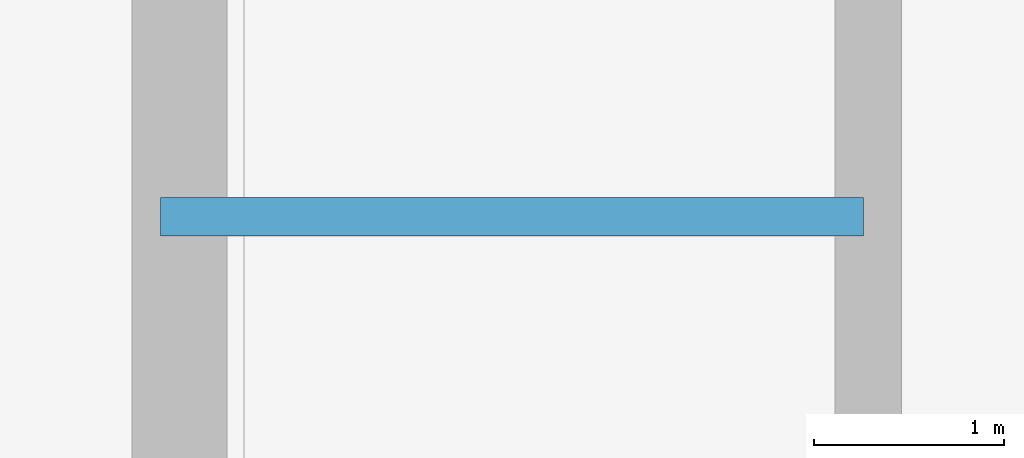
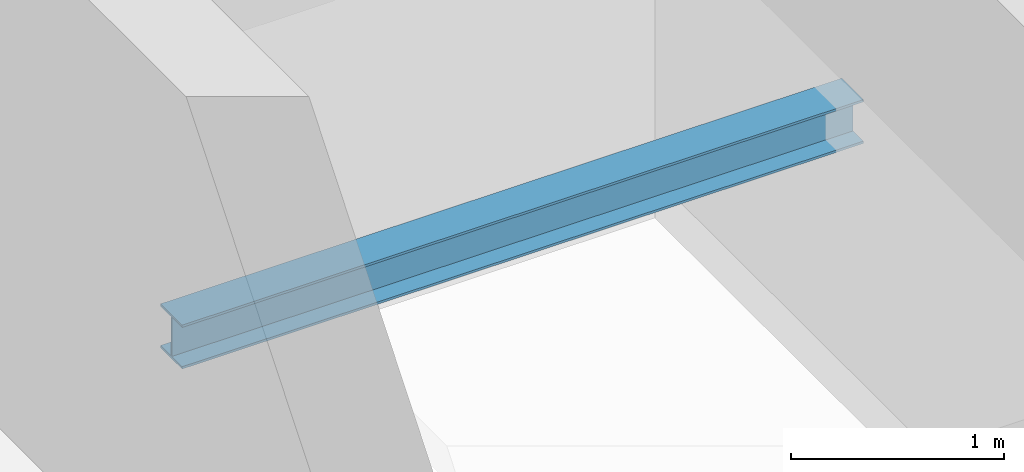
# One storey, part 13 of 30: 1 beam.
"""IFC4 building model written with IfcOpenShell, lengths in metres."""

import ifcopenshell
import ifcopenshell.guid

model = None  # the IFC model being written
_history = None  # IfcOwnerHistory: only IFC2X3 demands one
_inside = {}  # id of a spatial element -> (the spatial element, [elements in it])
_under = {}  # id of a project, library or spatial element -> (it, [spatial elements below it])
_declared = {}  # id of a project -> (the project, [libraries it declares])
_typed = {}  # id of a type object -> (the type object, [elements of that type])
_made_of = {}  # id of a material, layer set ... -> (it, [elements and type objects made of it])


def new_model(schema):
    """Start an empty IFC model of exactly this schema.

    Asked for "IFC4X3", IfcOpenShell would pick the latest addendum, in which some entities
    have other attributes; the version numbers below select the first issue.
    IFC2X3 requires an IfcOwnerHistory on every rooted entity: one is made here for all.
    """
    global model, _history
    if schema == "IFC4X3":
        model = ifcopenshell.file(schema_version=(4, 3, 0, 0))
    else:
        model = ifcopenshell.file(schema=schema)
    _inside.clear()
    _under.clear()
    _declared.clear()
    _typed.clear()
    _made_of.clear()
    _history = None
    if model.schema == "IFC2X3":
        org = make("IfcOrganization", Name="unknown")
        user = make(
            "IfcPersonAndOrganization",
            ThePerson=make("IfcPerson", FamilyName="unknown"),
            TheOrganization=org,
        )
        app = make(
            "IfcApplication",
            ApplicationDeveloper=org,
            Version="unknown",
            ApplicationFullName="unknown",
            ApplicationIdentifier="unknown",
        )
        _history = make(
            "IfcOwnerHistory",
            OwningUser=user,
            OwningApplication=app,
            ChangeAction="ADDED",
            CreationDate=0,
        )
    return model


def make(cls, **values):
    """One entity of the class cls with the attributes given. An attribute that is None is left unset."""
    return model.create_entity(
        cls, **{name: value for name, value in values.items() if value is not None}
    )


def rooted(cls, **values):
    """An entity with a GlobalId (a new one), such as an element, a storey or a relation."""
    return make(cls, GlobalId=ifcopenshell.guid.new(), OwnerHistory=_history, **values)


def si_unit(unit_type, name, prefix=None):
    """IfcSIUnit, for example si_unit("LENGTHUNIT", "METRE", prefix="MILLI")."""
    return make("IfcSIUnit", UnitType=unit_type, Prefix=prefix, Name=name)


def assignment(units):
    """IfcUnitAssignment: the units of a project."""
    return None if units is None else make("IfcUnitAssignment", Units=units)


def point(xyz):
    """IfcCartesianPoint."""
    return None if xyz is None else make("IfcCartesianPoint", Coordinates=xyz)


def direction(xyz):
    """IfcDirection."""
    return None if xyz is None else make("IfcDirection", DirectionRatios=xyz)


def frame(location, z_axis=None, x_axis=None):
    """IfcAxis2Placement3D, a coordinate frame: its origin and axes. An axis left out is left unset."""
    return make(
        "IfcAxis2Placement3D",
        Location=point(location),
        Axis=direction(z_axis),
        RefDirection=direction(x_axis),
    )


def frame_2d(location, x_axis=None):
    """IfcAxis2Placement2D, a coordinate frame in the plane: its origin and x axis."""
    return make(
        "IfcAxis2Placement2D", Location=point(location), RefDirection=direction(x_axis)
    )


def origin():
    """The frame at (0, 0, 0) with its axes left unset."""
    return frame((0.0, 0.0, 0.0))


def origin_2d():
    """The frame at (0, 0) in the plane with its x axis left unset."""
    return frame_2d((0.0, 0.0))


def place(relative_to, where):
    """IfcLocalPlacement: puts the frame where relative to a parent placement (None: the world)."""
    return make(
        "IfcLocalPlacement", PlacementRelTo=relative_to, RelativePlacement=where
    )


def context(
    kind, dimensions, precision=None, world=None, true_north=None, identifier=None
):
    """IfcGeometricRepresentationContext, for example the 3D "Model" context."""
    return make(
        "IfcGeometricRepresentationContext",
        ContextIdentifier=identifier,
        ContextType=kind,
        CoordinateSpaceDimension=dimensions,
        Precision=precision,
        WorldCoordinateSystem=world,
        TrueNorth=true_north,
    )


def subcontext(parent, identifier, kind, view, scale=None):
    """IfcGeometricRepresentationSubContext, for example "Body" below "Model"."""
    return make(
        "IfcGeometricRepresentationSubContext",
        ContextIdentifier=identifier,
        ContextType=kind,
        ParentContext=parent,
        TargetScale=scale,
        TargetView=view,
    )


def project(units=None, contexts=None):
    """IfcProject with its units and contexts."""
    return rooted(
        "IfcProject",
        Name="project",
        RepresentationContexts=contexts,
        UnitsInContext=assignment(units),
    )


def spatial(cls, under=None, at=None, **own):
    """A site, building, storey or space (cls), placed at a placement, below another one or the project."""
    s = rooted(cls, ObjectPlacement=at, **own)
    if under is not None:
        _under.setdefault(under.id(), (under, []))[1].append(s)
    return s


def profile(cls, at=None, kind="AREA", **sizes):
    """A parametric profile (cls). Its sizes go by their IFC names, for example OverallWidth=200.0."""
    return make(cls, ProfileType=kind, Position=at, **sizes)


def i_section(**sizes):
    """IfcIShapeProfileDef."""
    return profile("IfcIShapeProfileDef", **sizes)


def extrude(swept, where, along, depth):
    """IfcExtrudedAreaSolid: the profile swept, set in the frame where, extruded along a direction by depth."""
    return make(
        "IfcExtrudedAreaSolid",
        SweptArea=swept,
        Position=where,
        ExtrudedDirection=direction(along),
        Depth=depth,
    )


def shape(context_of_items, identifier, shape_type, items):
    """IfcShapeRepresentation: the items that make up one representation, for example the "Body"."""
    return make(
        "IfcShapeRepresentation",
        ContextOfItems=context_of_items,
        RepresentationIdentifier=identifier,
        RepresentationType=shape_type,
        Items=items,
    )


def material(Name=None, Category=None):
    """IfcMaterial."""
    return make("IfcMaterial", Name=Name, Category=Category)


def material_profile(
    of_material, cross_section, Name=None, Category=None, Priority=None
):
    """IfcMaterialProfile: a cross section and its material."""
    return make(
        "IfcMaterialProfile",
        Name=Name,
        Material=of_material,
        Profile=cross_section,
        Priority=Priority,
        Category=Category,
    )


def profile_set(profiles, Name=None, composite=None):
    """IfcMaterialProfileSet."""
    return make(
        "IfcMaterialProfileSet",
        Name=Name,
        MaterialProfiles=profiles,
        CompositeProfile=composite,
    )


def made_of(thing, what):
    """Note that an element or type object is made of a material, layer set ...; save() writes the relation."""
    if what is not None:
        _made_of.setdefault(what.id(), (what, []))[1].append(thing)
    return thing


def type_object(cls, material=None, **own):
    """A type object (cls), such as IfcWallType, which elements share."""
    return made_of(rooted(cls, **own), material)


def element(
    cls,
    number,
    at=None,
    inside=None,
    cuts=None,
    type_object=None,
    material=None,
    context=None,
    identifier="Body",
    shape_type=None,
    held_by="IfcProductDefinitionShape",
    body=None,
    shapes=None,
    **own,
):
    """One element of the class cls, such as IfcWall. Its Tag is "e" and its number.

    at: its placement. inside: the storey or other place that contains it. cuts: it is an
    opening in that element (IfcRelVoidsElement). A single representation is given by context,
    identifier, shape_type and body (its items); several are given by shapes. held_by: the class
    of the entity that holds the representations. save() writes the other relations.
    """
    e = rooted(cls, Tag="e%d" % number, ObjectPlacement=at, **own)
    if body is not None:
        shapes = [shape(context, identifier, shape_type, body)]
    if shapes is not None:
        e.Representation = make(held_by, Representations=shapes)
    if inside is not None:
        _inside.setdefault(inside.id(), (inside, []))[1].append(e)
    if cuts is not None:
        rooted(
            "IfcRelVoidsElement", RelatingBuildingElement=cuts, RelatedOpeningElement=e
        )
    if type_object is not None:
        _typed.setdefault(type_object.id(), (type_object, []))[1].append(e)
    return made_of(e, material)


def aggregate(whole, parts):
    """IfcRelAggregates: a whole, such as a stair, and the parts it consists of."""
    return rooted("IfcRelAggregates", RelatingObject=whole, RelatedObjects=parts)


def save(model, path):
    """Write the relations noted so far, then the file.

    IfcRelAggregates (storeys below a building ...), IfcRelContainedInSpatialStructure (elements
    in a storey), IfcRelDefinesByType, IfcRelAssociatesMaterial and IfcRelDeclares: one each for
    every whole, place, type object, material and project.
    """
    for whole, parts in _under.values():
        aggregate(whole, parts)
    for where, things in _inside.values():
        rooted(
            "IfcRelContainedInSpatialStructure",
            RelatedElements=things,
            RelatingStructure=where,
        )
    for kind, things in _typed.values():
        rooted("IfcRelDefinesByType", RelatedObjects=things, RelatingType=kind)
    for what, things in _made_of.values():
        rooted("IfcRelAssociatesMaterial", RelatedObjects=things, RelatingMaterial=what)
    for by, libraries in _declared.values():
        rooted("IfcRelDeclares", RelatingContext=by, RelatedDefinitions=libraries)
    model.write(path)


model = new_model("IFC4")

# Units and contexts
model_context = context("Model", 3, precision=1e-05, world=origin(), true_north=direction((0.0, 1.0)))
body_context = subcontext(model_context, "Body", "Model", "MODEL_VIEW")
ifc_project = project(units=[si_unit("LENGTHUNIT", "METRE"), si_unit("AREAUNIT", "SQUARE_METRE"), si_unit("VOLUMEUNIT", "CUBIC_METRE"), si_unit("PLANEANGLEUNIT", "RADIAN"), si_unit("MASSUNIT", "GRAM", prefix="KILO")], contexts=[model_context])

# Site, building, storey
site_placement = place(None, origin())
site = spatial("IfcSite", under=ifc_project, at=site_placement, CompositionType="ELEMENT")
building_placement = place(site_placement, origin())
building = spatial("IfcBuilding", under=site, at=building_placement, Name="Veraguas Prism Commons", CompositionType="ELEMENT")
storey_placement = place(building_placement, frame((0.0, 0.0, 208.10009765625)))
storey = spatial("IfcBuildingStorey", under=building, at=storey_placement, Name="L59", CompositionType="ELEMENT", Elevation=208.10009765625)

# Beam
ifc_material = material(Name="Steel ASTM A992 Grade 50", Category="steel")
ifc_material_profile = material_profile(ifc_material, i_section(OverallWidth=0.202880859375, OverallDepth=0.251953125, WebThickness=0.008056640625, FlangeThickness=0.013427734375, at=origin_2d()), Name="W250X58")
ifc_profile_set = profile_set([ifc_material_profile], Name="Steel ASTM A992 Grade 50")
beam_type = type_object("IfcBeamType", Name="Structural Opening Lintel W250x58", PredefinedType="LINTEL", material=ifc_profile_set)
beam_placement = place(storey_placement, frame((17.25, 26.800048828125, 1.298828125), z_axis=(1.0, 0.0, 0.0), x_axis=(0.0, 1.0, 0.0)))
element("IfcBeam", 1, at=beam_placement, inside=storey, type_object=beam_type, Name="Stair ST-01 Half-Landing Support Beam L59-1", PredefinedType="LINTEL", context=body_context, shape_type="SweptSolid", body=[
    extrude(i_section(OverallWidth=0.202880859375, OverallDepth=0.251953125, WebThickness=0.008056640625, FlangeThickness=0.013427734375, at=origin_2d()), origin(), (0.0, 0.0, 1.0), 3.699951171875),
])

save(model, "model.ifc")
